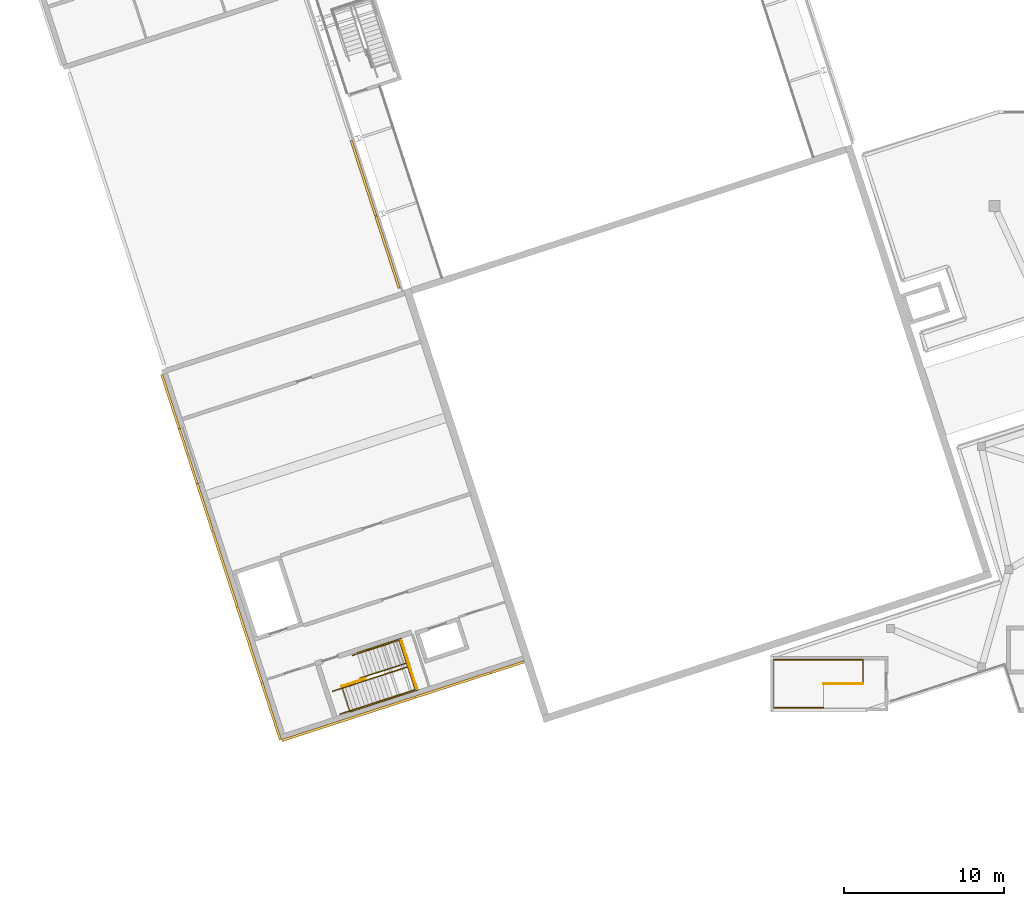
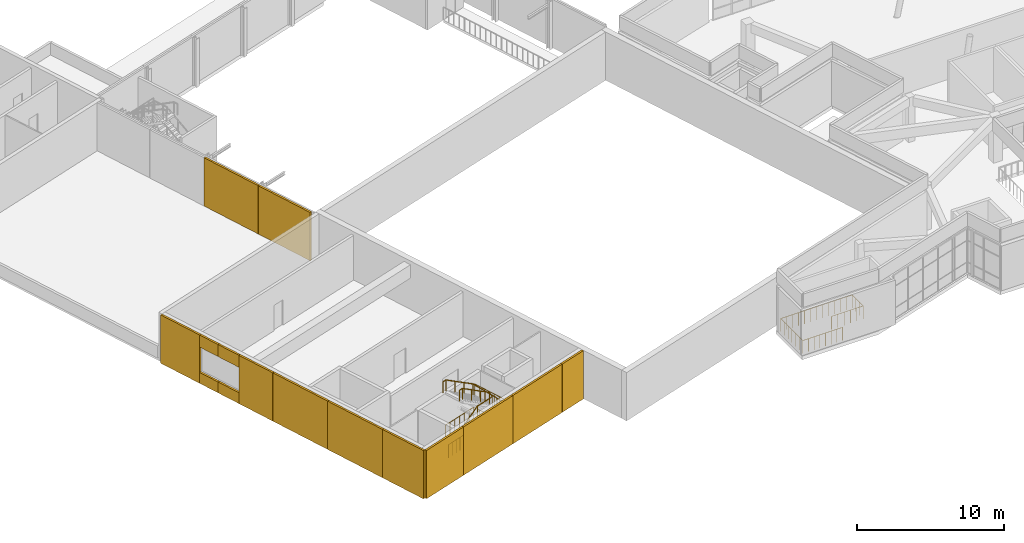
# One storey, part 67 of 72: 15 coverings, 7 railings.
"""IFC4 building model written with IfcOpenShell, lengths in metres."""

from ifc_helpers import new_model, si_unit, direction, frame, origin, origin_2d, place, context, subcontext, project, spatial, polyline, circle, outline, extrude, material, layer, layer_set, type_object, element, save


model = new_model("IFC4")

# Units and contexts
model_context = context("Model", 3, precision=1e-05, world=origin(), true_north=direction((0.0, 1.0)))
body_context = subcontext(model_context, "Body", "Model", "MODEL_VIEW")
ifc_project = project(units=[si_unit("LENGTHUNIT", "METRE"), si_unit("AREAUNIT", "SQUARE_METRE"), si_unit("VOLUMEUNIT", "CUBIC_METRE"), si_unit("PLANEANGLEUNIT", "RADIAN"), si_unit("MASSUNIT", "GRAM", prefix="KILO")], contexts=[model_context])

# Site, building, storey
site_placement = place(None, origin())
site = spatial("IfcSite", under=ifc_project, at=site_placement, CompositionType="ELEMENT")
building_placement = place(site_placement, origin())
building = spatial("IfcBuilding", under=site, at=building_placement, Name="Tuart Plaza Theatre", CompositionType="ELEMENT")
storey_placement = place(building_placement, frame((0.0, 0.0, 13.5)))
storey = spatial("IfcBuildingStorey", under=building, at=storey_placement, Name="L03", CompositionType="ELEMENT", Elevation=13.5)

# Coverings
ifc_material_1 = material(Name="Zinc")
ifc_layer = layer(ifc_material_1, 0.14990234375)
ifc_layer_set = layer_set([ifc_layer], Name="COVERING-ZINC-RAINSCREEN150")
covering_type = type_object("IfcCoveringType", Name="COVERING-ZINC-RAINSCREEN150", PredefinedType="CLADDING", material=ifc_layer_set)
covering_1_placement = place(storey_placement, origin())
element("IfcCovering", 1, at=covering_1_placement, inside=storey, type_object=covering_type, Name="CL8", PredefinedType="CLADDING", context=body_context, shape_type="SweptSolid", body=[
    extrude(outline(polyline([(40.734130859375, 68.850830078125), (39.269287109375, 73.35888671875), (39.412109375, 73.4052734375), (40.876708984375, 68.897216796875), (40.734130859375, 68.850830078125)])), origin(), (0.0, 0.0, 1.0), 4.0),
])
covering_2_placement = place(storey_placement, origin())
element("IfcCovering", 2, at=covering_2_placement, inside=storey, type_object=covering_type, Name="CL9", PredefinedType="CLADDING", context=body_context, shape_type="SweptSolid", body=[
    extrude(outline(polyline([(39.26318359375, 73.3779296875), (37.73974609375, 78.066650390625), (37.88232421875, 78.113037109375), (39.406005859375, 73.42431640625), (39.26318359375, 73.3779296875)])), origin(), (0.0, 0.0, 1.0), 4.0),
])
covering_3_placement = place(storey_placement, origin())
element("IfcCovering", 3, at=covering_3_placement, inside=storey, type_object=covering_type, Name="CL166", PredefinedType="CLADDING", context=body_context, shape_type="SweptSolid", body=[
    extrude(outline(polyline([(33.45068359375, 40.6708984375), (37.0078125, 41.82666015625), (37.053955078125, 41.68408203125), (33.4970703125, 40.5283203125), (33.45068359375, 40.6708984375)])), origin(), (0.0, 0.0, 1.0), 4.0),
])
covering_4_placement = place(storey_placement, origin())
element("IfcCovering", 4, at=covering_4_placement, inside=storey, type_object=covering_type, Name="CL167", PredefinedType="CLADDING", context=body_context, shape_type="SweptSolid", body=[
    extrude(outline(polyline([(37.026611328125, 41.832763671875), (41.762939453125, 43.371826171875), (41.809326171875, 43.22900390625), (37.072998046875, 41.690185546875), (37.026611328125, 41.832763671875)])), origin(), (0.0, 0.0, 1.0), 4.0),
])
covering_5_placement = place(storey_placement, origin())
element("IfcCovering", 5, at=covering_5_placement, inside=storey, type_object=covering_type, Name="CL168", PredefinedType="CLADDING", context=body_context, shape_type="SweptSolid", body=[
    extrude(outline(polyline([(41.781982421875, 43.3779296875), (46.518310546875, 44.916748046875), (46.564697265625, 44.774169921875), (41.828369140625, 43.2353515625), (41.781982421875, 43.3779296875)])), origin(), (0.0, 0.0, 1.0), 4.0),
])
covering_6_placement = place(storey_placement, origin())
element("IfcCovering", 6, at=covering_6_placement, inside=storey, type_object=covering_type, Name="CL169", PredefinedType="CLADDING", context=body_context, shape_type="SweptSolid", body=[
    extrude(outline(polyline([(46.537353515625, 44.923095703125), (48.59619140625, 45.592041015625), (48.642578125, 45.449462890625), (46.58349609375, 44.780517578125), (46.537353515625, 44.923095703125)])), origin(), (0.0, 0.0, 1.0), 4.0),
])
covering_7_placement = place(storey_placement, origin())
element("IfcCovering", 7, at=covering_7_placement, inside=storey, type_object=covering_type, Name="CL170", PredefinedType="CLADDING", context=body_context, shape_type="SweptSolid", body=[
    extrude(outline(polyline([(33.30810546875, 40.62451171875), (32.15234375, 44.181396484375), (32.294921875, 44.227783203125), (33.45068359375, 40.6708984375), (33.30810546875, 40.62451171875)])), origin(), (0.0, 0.0, 1.0), 4.0),
])
covering_8_placement = place(storey_placement, origin())
element("IfcCovering", 8, at=covering_8_placement, inside=storey, type_object=covering_type, Name="CL171", PredefinedType="CLADDING", context=body_context, shape_type="SweptSolid", body=[
    extrude(outline(polyline([(32.146240234375, 44.20068359375), (30.607421875, 48.936767578125), (30.75, 48.983154296875), (32.288818359375, 44.246826171875), (32.146240234375, 44.20068359375)])), origin(), (0.0, 0.0, 1.0), 4.0),
])
covering_9_placement = place(storey_placement, origin())
element("IfcCovering", 9, at=covering_9_placement, inside=storey, type_object=covering_type, Name="CL172", PredefinedType="CLADDING", context=body_context, shape_type="SweptSolid", body=[
    extrude(outline(polyline([(30.60107421875, 48.955810546875), (29.062255859375, 53.692138671875), (29.204833984375, 53.738525390625), (30.74365234375, 49.002197265625), (30.60107421875, 48.955810546875)])), origin(), (0.0, 0.0, 1.0), 4.0),
])
covering_10_placement = place(storey_placement, origin())
element("IfcCovering", 10, at=covering_10_placement, inside=storey, type_object=covering_type, Name="CL173", PredefinedType="CLADDING", context=body_context, shape_type="SweptSolid", body=[
    extrude(outline(polyline([(29.055908203125, 53.711181640625), (28.10107421875, 56.64990234375), (28.243896484375, 56.6962890625), (29.198486328125, 53.757568359375), (29.055908203125, 53.711181640625)])), origin(), (0.0, 0.0, 1.0), 4.0),
])
covering_11_placement = place(storey_placement, origin())
element("IfcCovering", 11, at=covering_11_placement, inside=storey, type_object=covering_type, Name="CL174", PredefinedType="CLADDING", context=body_context, shape_type="SweptSolid", body=[
    extrude(outline(polyline([(28.10107421875, 56.64990234375), (27.51708984375, 58.447509765625), (27.65966796875, 58.49365234375), (28.243896484375, 56.6962890625), (28.10107421875, 56.64990234375)])), origin(), (0.0, 0.0, 1.0), 0.89990234375),
])
covering_12_placement = place(storey_placement, frame((0.0, 0.0, 3.0)))
element("IfcCovering", 12, at=covering_12_placement, inside=storey, type_object=covering_type, Name="CL175", PredefinedType="CLADDING", context=body_context, shape_type="SweptSolid", body=[
    extrude(outline(polyline([(28.10107421875, 56.64990234375), (27.51708984375, 58.447509765625), (27.65966796875, 58.49365234375), (28.243896484375, 56.6962890625), (28.10107421875, 56.64990234375)])), origin(), (0.0, 0.0, 1.0), 1.0),
])
covering_13_placement = place(storey_placement, origin())
element("IfcCovering", 13, at=covering_13_placement, inside=storey, type_object=covering_type, Name="CL176", PredefinedType="CLADDING", context=body_context, shape_type="SweptSolid", body=[
    extrude(outline(polyline([(27.510986328125, 58.46630859375), (26.98876953125, 60.07373046875), (27.13134765625, 60.1201171875), (27.653564453125, 58.5126953125), (27.510986328125, 58.46630859375)])), origin(), (0.0, 0.0, 1.0), 0.89990234375),
])
covering_14_placement = place(storey_placement, frame((0.0, 0.0, 3.0)))
element("IfcCovering", 14, at=covering_14_placement, inside=storey, type_object=covering_type, Name="CL177", PredefinedType="CLADDING", context=body_context, shape_type="SweptSolid", body=[
    extrude(outline(polyline([(27.510986328125, 58.46630859375), (26.98876953125, 60.07373046875), (27.13134765625, 60.1201171875), (27.653564453125, 58.5126953125), (27.510986328125, 58.46630859375)])), origin(), (0.0, 0.0, 1.0), 1.0),
])
covering_15_placement = place(storey_placement, origin())
element("IfcCovering", 15, at=covering_15_placement, inside=storey, type_object=covering_type, Name="CL178", PredefinedType="CLADDING", context=body_context, shape_type="SweptSolid", body=[
    extrude(outline(polyline([(26.98876953125, 60.07373046875), (25.8916015625, 63.449951171875), (26.0341796875, 63.496337890625), (27.13134765625, 60.1201171875), (26.98876953125, 60.07373046875)])), origin(), (0.0, 0.0, 1.0), 4.0),
])

# Railings
ifc_material_2 = material(Name="Steel Grade C350L0", Category="steel")
railing_type_1 = type_object("IfcRailingType", Name="RAILING Guard 1100", PredefinedType="GUARDRAIL", material=ifc_material_2)
railing_1_placement = place(storey_placement, frame((37.217041015625, 43.99755859375, 0.0)))
element("IfcRailing", 16, at=railing_1_placement, inside=storey, type_object=railing_type_1, Name="GR13", PredefinedType="GUARDRAIL", context=body_context, shape_type="SweptSolid", body=[
    extrude(circle(Radius=0.02490234375, at=origin_2d()), frame((0.0, 0.0, 1.0751953125), z_axis=(0.951027146511, 0.309107370664, 0.0), x_axis=(-0.309107370664, 0.951027146511, 0.0)), (0.0, 0.0, 1.0), 1.55517578125),
    extrude(circle(Radius=0.02001953125, at=origin_2d()), origin(), (0.0, 0.0, 1.0), 1.050048828125),
    extrude(circle(Radius=0.02001953125, at=origin_2d()), frame((0.36962890625, 0.1201171875, 0.0)), (0.0, 0.0, 1.0), 1.050048828125),
    extrude(circle(Radius=0.02001953125, at=origin_2d()), frame((0.739501953125, 0.240234375, 0.0)), (0.0, 0.0, 1.0), 1.050048828125),
    extrude(circle(Radius=0.02001953125, at=origin_2d()), frame((1.109375, 0.360595703125, 0.0)), (0.0, 0.0, 1.0), 1.050048828125),
    extrude(circle(Radius=0.02001953125, at=origin_2d()), frame((1.47900390625, 0.480712890625, 0.0)), (0.0, 0.0, 1.0), 1.050048828125),
])
railing_2_placement = place(storey_placement, frame((38.181640625, 46.077392578125, 0.0)))
element("IfcRailing", 17, at=railing_2_placement, inside=storey, type_object=railing_type_1, Name="GR14", PredefinedType="GUARDRAIL", context=body_context, shape_type="SweptSolid", body=[
    extrude(circle(Radius=0.02490234375, at=origin_2d()), frame((0.0, 0.0, 1.0751953125), z_axis=(-0.316227766017, 0.948683298051, 0.0), x_axis=(-0.948683298051, -0.316227766017, 0.0)), (0.0, 0.0, 1.0), 0.02001953125),
    extrude(circle(Radius=0.02490234375, at=origin_2d()), frame((-0.00634765625, 0.01904296875, 1.0751953125), z_axis=(0.951047059821, 0.309046096893, 0.0), x_axis=(-0.309046096893, 0.951047059821, 0.0)), (0.0, 0.0, 1.0), 2.89990234375),
    extrude(circle(Radius=0.02490234375, at=origin_2d()), frame((2.751708984375, 0.915283203125, 1.0751953125), z_axis=(0.309045481752, -0.951047259714, 0.0), x_axis=(0.951047259714, 0.309045481752, 0.0)), (0.0, 0.0, 1.0), 3.400146484375),
    extrude(circle(Radius=0.02490234375, at=origin_2d()), frame((3.802490234375, -2.318359375, 1.0751953125), z_axis=(-0.951059006692, -0.309009329618, 0.0), x_axis=(0.309009329618, -0.951059006692, 0.0)), (0.0, 0.0, 1.0), 4.4599609375),
    extrude(circle(Radius=0.02490234375, at=origin_2d()), frame((-0.439208984375, -3.696533203125, 1.0751953125), z_axis=(-0.309066587596, 0.951040401051, 0.0), x_axis=(-0.951040401051, -0.309066587596, 0.0)), (0.0, 0.0, 1.0), 1.699951171875),
    extrude(circle(Radius=0.02001953125, at=origin_2d()), origin(), (0.0, 0.0, 1.0), 1.050048828125),
    extrude(circle(Radius=0.02001953125, at=origin_2d()), frame((-0.00634765625, 0.01904296875, 0.0)), (0.0, 0.0, 1.0), 1.050048828125),
    extrude(circle(Radius=0.02001953125, at=origin_2d()), frame((0.453369140625, 0.16845703125, 0.0)), (0.0, 0.0, 1.0), 1.050048828125),
    extrude(circle(Radius=0.02001953125, at=origin_2d()), frame((0.9130859375, 0.31787109375, 0.0)), (0.0, 0.0, 1.0), 1.050048828125),
    extrude(circle(Radius=0.02001953125, at=origin_2d()), frame((1.37255859375, 0.46728515625, 0.0)), (0.0, 0.0, 1.0), 1.050048828125),
    extrude(circle(Radius=0.02001953125, at=origin_2d()), frame((1.832275390625, 0.616455078125, 0.0)), (0.0, 0.0, 1.0), 1.050048828125),
    extrude(circle(Radius=0.02001953125, at=origin_2d()), frame((2.2919921875, 0.765869140625, 0.0)), (0.0, 0.0, 1.0), 1.050048828125),
    extrude(circle(Radius=0.02001953125, at=origin_2d()), frame((2.751708984375, 0.915283203125, 0.0)), (0.0, 0.0, 1.0), 1.050048828125),
    extrude(circle(Radius=0.02001953125, at=origin_2d()), frame((2.90185546875, 0.453369140625, 0.0)), (0.0, 0.0, 1.0), 1.050048828125),
    extrude(circle(Radius=0.02001953125, at=origin_2d()), frame((3.052001953125, -0.008544921875, 0.0)), (0.0, 0.0, 1.0), 1.050048828125),
    extrude(circle(Radius=0.02001953125, at=origin_2d()), frame((3.2021484375, -0.470458984375, 0.0)), (0.0, 0.0, 1.0), 1.050048828125),
    extrude(circle(Radius=0.02001953125, at=origin_2d()), frame((3.35205078125, -0.9326171875, 0.0)), (0.0, 0.0, 1.0), 1.050048828125),
    extrude(circle(Radius=0.02001953125, at=origin_2d()), frame((3.502197265625, -1.39453125, 0.0)), (0.0, 0.0, 1.0), 1.050048828125),
    extrude(circle(Radius=0.02001953125, at=origin_2d()), frame((3.65234375, -1.8564453125, 0.0)), (0.0, 0.0, 1.0), 1.050048828125),
    extrude(circle(Radius=0.02001953125, at=origin_2d()), frame((3.802490234375, -2.318359375, 0.0)), (0.0, 0.0, 1.0), 1.050048828125),
    extrude(circle(Radius=0.02001953125, at=origin_2d()), frame((3.331298828125, -2.471435546875, 0.0)), (0.0, 0.0, 1.0), 1.050048828125),
    extrude(circle(Radius=0.02001953125, at=origin_2d()), frame((2.85986328125, -2.62451171875, 0.0)), (0.0, 0.0, 1.0), 1.050048828125),
    extrude(circle(Radius=0.02001953125, at=origin_2d()), frame((2.388671875, -2.77783203125, 0.0)), (0.0, 0.0, 1.0), 1.050048828125),
    extrude(circle(Radius=0.02001953125, at=origin_2d()), frame((1.917236328125, -2.930908203125, 0.0)), (0.0, 0.0, 1.0), 1.050048828125),
    extrude(circle(Radius=0.02001953125, at=origin_2d()), frame((1.446044921875, -3.083984375, 0.0)), (0.0, 0.0, 1.0), 1.050048828125),
    extrude(circle(Radius=0.02001953125, at=origin_2d()), frame((0.974609375, -3.237060546875, 0.0)), (0.0, 0.0, 1.0), 1.050048828125),
    extrude(circle(Radius=0.02001953125, at=origin_2d()), frame((0.50341796875, -3.390380859375, 0.0)), (0.0, 0.0, 1.0), 1.050048828125),
    extrude(circle(Radius=0.02001953125, at=origin_2d()), frame((0.031982421875, -3.54345703125, 0.0)), (0.0, 0.0, 1.0), 1.050048828125),
    extrude(circle(Radius=0.02001953125, at=origin_2d()), frame((-0.439208984375, -3.696533203125, 0.0)), (0.0, 0.0, 1.0), 1.050048828125),
    extrude(circle(Radius=0.02001953125, at=origin_2d()), frame((-0.570556640625, -3.29248046875, 0.0)), (0.0, 0.0, 1.0), 1.050048828125),
    extrude(circle(Radius=0.02001953125, at=origin_2d()), frame((-0.701904296875, -2.88818359375, 0.0)), (0.0, 0.0, 1.0), 1.050048828125),
    extrude(circle(Radius=0.02001953125, at=origin_2d()), frame((-0.833251953125, -2.48388671875, 0.0)), (0.0, 0.0, 1.0), 1.050048828125),
    extrude(circle(Radius=0.02001953125, at=origin_2d()), frame((-0.964599609375, -2.079833984375, 0.0)), (0.0, 0.0, 1.0), 1.050048828125),
])
railing_3_placement = place(storey_placement, frame((41.8994140625, 43.857666015625, 2.0)))
element("IfcRailing", 18, at=railing_3_placement, inside=storey, type_object=railing_type_1, Name="GR18", PredefinedType="GUARDRAIL", context=body_context, shape_type="SweptSolid", body=[
    extrude(circle(Radius=0.02490234375, at=origin_2d()), frame((0.0, 0.0, 1.0751953125), z_axis=(-0.309033663672, 0.951051099951, 0.0), x_axis=(-0.951051099951, -0.309033663672, 0.0)), (0.0, 0.0, 1.0), 3.16015625),
    extrude(circle(Radius=0.02001953125, at=origin_2d()), origin(), (0.0, 0.0, 1.0), 1.050048828125),
    extrude(circle(Radius=0.02001953125, at=origin_2d()), frame((-0.139404296875, 0.429443359375, 0.0)), (0.0, 0.0, 1.0), 1.050048828125),
    extrude(circle(Radius=0.02001953125, at=origin_2d()), frame((-0.279052734375, 0.858642578125, 0.0)), (0.0, 0.0, 1.0), 1.050048828125),
    extrude(circle(Radius=0.02001953125, at=origin_2d()), frame((-0.41845703125, 1.2880859375, 0.0)), (0.0, 0.0, 1.0), 1.050048828125),
    extrude(circle(Radius=0.02001953125, at=origin_2d()), frame((-0.55810546875, 1.71728515625, 0.0)), (0.0, 0.0, 1.0), 1.050048828125),
    extrude(circle(Radius=0.02001953125, at=origin_2d()), frame((-0.697509765625, 2.146728515625, 0.0)), (0.0, 0.0, 1.0), 1.050048828125),
    extrude(circle(Radius=0.02001953125, at=origin_2d()), frame((-0.837158203125, 2.575927734375, 0.0)), (0.0, 0.0, 1.0), 1.050048828125),
    extrude(circle(Radius=0.02001953125, at=origin_2d()), frame((-0.9765625, 3.00537109375, 0.0)), (0.0, 0.0, 1.0), 1.050048828125),
])
railing_4_placement = place(storey_placement, frame((69.7900390625, 44.14990234375, 0.0)))
element("IfcRailing", 19, at=railing_4_placement, inside=storey, type_object=railing_type_1, Name="GR129", PredefinedType="GUARDRAIL", context=body_context, shape_type="SweptSolid", body=[
    extrude(circle(Radius=0.02490234375, at=origin_2d()), frame((0.0, 0.0, 1.0751953125), z_axis=(-1.0, 0.0, 0.0), x_axis=(0.0, -1.0, 0.0)), (0.0, 0.0, 1.0), 2.47509765625),
    extrude(circle(Radius=0.02001953125, at=origin_2d()), origin(), (0.0, 0.0, 1.0), 1.050048828125),
    extrude(circle(Radius=0.02001953125, at=origin_2d()), frame((-0.4951171875, 0.0, 0.0)), (0.0, 0.0, 1.0), 1.050048828125),
    extrude(circle(Radius=0.02001953125, at=origin_2d()), frame((-0.989990234375, 0.0, 0.0)), (0.0, 0.0, 1.0), 1.050048828125),
    extrude(circle(Radius=0.02001953125, at=origin_2d()), frame((-1.485107421875, 0.0, 0.0)), (0.0, 0.0, 1.0), 1.050048828125),
    extrude(circle(Radius=0.02001953125, at=origin_2d()), frame((-1.97998046875, 0.0, 0.0)), (0.0, 0.0, 1.0), 1.050048828125),
    extrude(circle(Radius=0.02001953125, at=origin_2d()), frame((-2.47509765625, 0.0, 0.0)), (0.0, 0.0, 1.0), 1.050048828125),
])
railing_5_placement = place(storey_placement, frame((67.31005859375, 42.669921875, 0.0)))
element("IfcRailing", 20, at=railing_5_placement, inside=storey, type_object=railing_type_1, Name="GR130", PredefinedType="GUARDRAIL", context=body_context, shape_type="SweptSolid", body=[
    extrude(circle(Radius=0.02490234375, at=origin_2d()), frame((0.0, 0.0, 1.0751953125), z_axis=(0.0, -1.0, 0.0), x_axis=(1.0, 0.0, 0.0)), (0.0, 0.0, 1.0), 0.02001953125),
    extrude(circle(Radius=0.02490234375, at=origin_2d()), frame((0.0, -0.02001953125, 1.0751953125), z_axis=(-1.0, 0.0, 0.0), x_axis=(0.0, -1.0, 0.0)), (0.0, 0.0, 1.0), 3.110107421875),
    extrude(circle(Radius=0.02490234375, at=origin_2d()), frame((-3.110107421875, -0.02001953125, 1.0751953125), z_axis=(0.0, 1.0, 0.0), x_axis=(-1.0, 0.0, 0.0)), (0.0, 0.0, 1.0), 3.0),
    extrude(circle(Radius=0.02490234375, at=origin_2d()), frame((-3.110107421875, 2.97998046875, 1.0751953125), z_axis=(1.0, 0.0, 0.0), x_axis=(0.0, 1.0, 0.0)), (0.0, 0.0, 1.0), 5.590087890625),
    extrude(circle(Radius=0.02490234375, at=origin_2d()), frame((2.47998046875, 2.97998046875, 1.0751953125), z_axis=(0.0, -1.0, 0.0), x_axis=(1.0, 0.0, 0.0)), (0.0, 0.0, 1.0), 1.5),
    extrude(circle(Radius=0.02001953125, at=origin_2d()), origin(), (0.0, 0.0, 1.0), 1.050048828125),
    extrude(circle(Radius=0.02001953125, at=origin_2d()), frame((0.0, -0.02001953125, 0.0)), (0.0, 0.0, 1.0), 1.050048828125),
    extrude(circle(Radius=0.02001953125, at=origin_2d()), frame((-0.4443359375, -0.02001953125, 0.0)), (0.0, 0.0, 1.0), 1.050048828125),
    extrude(circle(Radius=0.02001953125, at=origin_2d()), frame((-0.888671875, -0.02001953125, 0.0)), (0.0, 0.0, 1.0), 1.050048828125),
    extrude(circle(Radius=0.02001953125, at=origin_2d()), frame((-1.3330078125, -0.02001953125, 0.0)), (0.0, 0.0, 1.0), 1.050048828125),
    extrude(circle(Radius=0.02001953125, at=origin_2d()), frame((-1.777099609375, -0.02001953125, 0.0)), (0.0, 0.0, 1.0), 1.050048828125),
    extrude(circle(Radius=0.02001953125, at=origin_2d()), frame((-2.221435546875, -0.02001953125, 0.0)), (0.0, 0.0, 1.0), 1.050048828125),
    extrude(circle(Radius=0.02001953125, at=origin_2d()), frame((-2.665771484375, -0.02001953125, 0.0)), (0.0, 0.0, 1.0), 1.050048828125),
    extrude(circle(Radius=0.02001953125, at=origin_2d()), frame((-3.110107421875, -0.02001953125, 0.0)), (0.0, 0.0, 1.0), 1.050048828125),
    extrude(circle(Radius=0.02001953125, at=origin_2d()), frame((-3.110107421875, 0.47998046875, 0.0)), (0.0, 0.0, 1.0), 1.050048828125),
    extrude(circle(Radius=0.02001953125, at=origin_2d()), frame((-3.110107421875, 0.97998046875, 0.0)), (0.0, 0.0, 1.0), 1.050048828125),
    extrude(circle(Radius=0.02001953125, at=origin_2d()), frame((-3.110107421875, 1.47998046875, 0.0)), (0.0, 0.0, 1.0), 1.050048828125),
    extrude(circle(Radius=0.02001953125, at=origin_2d()), frame((-3.110107421875, 1.97998046875, 0.0)), (0.0, 0.0, 1.0), 1.050048828125),
    extrude(circle(Radius=0.02001953125, at=origin_2d()), frame((-3.110107421875, 2.47998046875, 0.0)), (0.0, 0.0, 1.0), 1.050048828125),
    extrude(circle(Radius=0.02001953125, at=origin_2d()), frame((-3.110107421875, 2.97998046875, 0.0)), (0.0, 0.0, 1.0), 1.050048828125),
    extrude(circle(Radius=0.02001953125, at=origin_2d()), frame((-2.644287109375, 2.97998046875, 0.0)), (0.0, 0.0, 1.0), 1.050048828125),
    extrude(circle(Radius=0.02001953125, at=origin_2d()), frame((-2.178466796875, 2.97998046875, 0.0)), (0.0, 0.0, 1.0), 1.050048828125),
    extrude(circle(Radius=0.02001953125, at=origin_2d()), frame((-1.712646484375, 2.97998046875, 0.0)), (0.0, 0.0, 1.0), 1.050048828125),
    extrude(circle(Radius=0.02001953125, at=origin_2d()), frame((-1.246826171875, 2.97998046875, 0.0)), (0.0, 0.0, 1.0), 1.050048828125),
    extrude(circle(Radius=0.02001953125, at=origin_2d()), frame((-0.781005859375, 2.97998046875, 0.0)), (0.0, 0.0, 1.0), 1.050048828125),
    extrude(circle(Radius=0.02001953125, at=origin_2d()), frame((-0.31494140625, 2.97998046875, 0.0)), (0.0, 0.0, 1.0), 1.050048828125),
    extrude(circle(Radius=0.02001953125, at=origin_2d()), frame((0.15087890625, 2.97998046875, 0.0)), (0.0, 0.0, 1.0), 1.050048828125),
    extrude(circle(Radius=0.02001953125, at=origin_2d()), frame((0.61669921875, 2.97998046875, 0.0)), (0.0, 0.0, 1.0), 1.050048828125),
    extrude(circle(Radius=0.02001953125, at=origin_2d()), frame((1.08251953125, 2.97998046875, 0.0)), (0.0, 0.0, 1.0), 1.050048828125),
    extrude(circle(Radius=0.02001953125, at=origin_2d()), frame((1.54833984375, 2.97998046875, 0.0)), (0.0, 0.0, 1.0), 1.050048828125),
    extrude(circle(Radius=0.02001953125, at=origin_2d()), frame((2.01416015625, 2.97998046875, 0.0)), (0.0, 0.0, 1.0), 1.050048828125),
    extrude(circle(Radius=0.02001953125, at=origin_2d()), frame((2.47998046875, 2.97998046875, 0.0)), (0.0, 0.0, 1.0), 1.050048828125),
    extrude(circle(Radius=0.02001953125, at=origin_2d()), frame((2.47998046875, 2.47998046875, 0.0)), (0.0, 0.0, 1.0), 1.050048828125),
    extrude(circle(Radius=0.02001953125, at=origin_2d()), frame((2.47998046875, 1.97998046875, 0.0)), (0.0, 0.0, 1.0), 1.050048828125),
    extrude(circle(Radius=0.02001953125, at=origin_2d()), frame((2.47998046875, 1.47998046875, 0.0)), (0.0, 0.0, 1.0), 1.050048828125),
])
ifc_material_3 = material(Name="Steel Grade C350L0", Category="steel")
railing_type_2 = type_object("IfcRailingType", Name="RAILING Handrail 900", PredefinedType="HANDRAIL", material=ifc_material_3)
railing_6_placement = place(storey_placement, frame((36.6279296875, 43.6748046875, 0.0)))
element("IfcRailing", 21, at=railing_6_placement, inside=storey, type_object=railing_type_2, Name="HR11", PredefinedType="HANDRAIL", context=body_context, shape_type="SweptSolid", body=[
    extrude(circle(Radius=0.0224609375, at=origin_2d()), frame((0.0, 0.0, 0.87744140625), z_axis=(0.91641792704, 0.297502654672, 0.267713192544), x_axis=(-0.308773297186, 0.951135663796, 0.0)), (0.0, 0.0, 1.0), 0.622802734375),
    extrude(circle(Radius=0.0224609375, at=origin_2d()), frame((0.57080078125, 0.185302734375, 1.044189453125), z_axis=(0.80067958274, 0.260161573424, 0.539655595261), x_axis=(-0.309022373402, 0.951054768527, 0.0)), (0.0, 0.0, 1.0), 3.39697265625),
    extrude(circle(Radius=0.0224609375, at=origin_2d()), frame((3.290771484375, 1.069091796875, 2.87744140625), z_axis=(0.951032872603, 0.309089752708, 0.0), x_axis=(-0.309089752708, 0.951032872603, 0.0)), (0.0, 0.0, 1.0), 1.5),
    extrude(circle(Radius=0.0224609375, at=origin_2d()), frame((4.71728515625, 1.53271484375, 2.87744140625), z_axis=(-0.226783790612, 0.699010797647, 0.678198361166), x_axis=(-0.951191832008, -0.308600224758, 0.0)), (0.0, 0.0, 1.0), 0.340087890625),
    extrude(circle(Radius=0.0224609375, at=origin_2d()), frame((4.64013671875, 1.7705078125, 3.108154296875), z_axis=(-0.800667490059, -0.260187147532, 0.53966120726), x_axis=(0.309054071151, -0.951044468521, 0.0)), (0.0, 0.0, 1.0), 3.278564453125),
    extrude(circle(Radius=0.0224609375, at=origin_2d()), frame((2.01513671875, 0.91748046875, 4.87744140625), z_axis=(-0.951255083436, -0.308405198137, 0.0), x_axis=(0.308405198137, -0.951255083436, 0.0)), (0.0, 0.0, 1.0), 0.300048828125),
    extrude(circle(Radius=0.01513671875, at=origin_2d()), origin(), (0.0, 0.0, 1.0), 0.85498046875),
    extrude(circle(Radius=0.01513671875, at=origin_2d()), frame((0.57080078125, 0.185302734375, 0.166748046875)), (0.0, 0.0, 1.0), 0.85498046875),
    extrude(circle(Radius=0.01513671875, at=origin_2d()), frame((1.4775390625, 0.47998046875, 0.77783203125)), (0.0, 0.0, 1.0), 0.85498046875),
    extrude(circle(Radius=0.01513671875, at=origin_2d()), frame((2.384033203125, 0.7744140625, 1.388916015625)), (0.0, 0.0, 1.0), 0.85498046875),
    extrude(circle(Radius=0.01513671875, at=origin_2d()), frame((3.290771484375, 1.069091796875, 2.0)), (0.0, 0.0, 1.0), 0.85498046875),
    extrude(circle(Radius=0.01513671875, at=origin_2d()), frame((4.71728515625, 1.53271484375, 2.0)), (0.0, 0.0, 1.0), 0.85498046875),
    extrude(circle(Radius=0.01513671875, at=origin_2d()), frame((4.64013671875, 1.7705078125, 2.230712890625)), (0.0, 0.0, 1.0), 0.85498046875),
    extrude(circle(Radius=0.01513671875, at=origin_2d()), frame((3.76513671875, 1.486083984375, 2.820556640625)), (0.0, 0.0, 1.0), 0.85498046875),
    extrude(circle(Radius=0.01513671875, at=origin_2d()), frame((2.89013671875, 1.201904296875, 3.41015625)), (0.0, 0.0, 1.0), 0.85498046875),
    extrude(circle(Radius=0.01513671875, at=origin_2d()), frame((2.01513671875, 0.91748046875, 4.0)), (0.0, 0.0, 1.0), 0.85498046875),
    extrude(circle(Radius=0.01513671875, at=origin_2d()), frame((1.729736328125, 0.824951171875, 4.0)), (0.0, 0.0, 1.0), 0.85498046875),
])
railing_7_placement = place(storey_placement, frame((37.091552734375, 42.248291015625, 0.0)))
element("IfcRailing", 22, at=railing_7_placement, inside=storey, type_object=railing_type_2, Name="HR12", PredefinedType="HANDRAIL", context=body_context, shape_type="SweptSolid", body=[
    extrude(circle(Radius=0.0224609375, at=origin_2d()), frame((0.0, 0.0, 0.87744140625), z_axis=(0.916355108697, 0.297609553916, 0.267809387779), x_axis=(-0.308892816854, 0.951096855055, 0.0)), (0.0, 0.0, 1.0), 0.62255859375),
    extrude(circle(Radius=0.0224609375, at=origin_2d()), frame((0.570556640625, 0.185302734375, 1.044189453125), z_axis=(0.80067958274, 0.260161573424, 0.539655595261), x_axis=(-0.309022373402, 0.951054768527, 0.0)), (0.0, 0.0, 1.0), 3.39697265625),
    extrude(circle(Radius=0.0224609375, at=origin_2d()), frame((3.29052734375, 1.069091796875, 2.87744140625), z_axis=(0.951048418938, 0.309041914367, 0.0), x_axis=(-0.309041914367, 0.951048418938, 0.0)), (0.0, 0.0, 1.0), 1.500244140625),
    extrude(circle(Radius=0.0224609375, at=origin_2d()), frame((4.71728515625, 1.53271484375, 2.87744140625), z_axis=(-0.308276276911, 0.94865767275, 0.070812124862), x_axis=(-0.951045109239, -0.309052099479, 0.0)), (0.0, 0.0, 1.0), 3.258056640625),
    extrude(circle(Radius=0.0224609375, at=origin_2d()), frame((3.712890625, 4.62353515625, 3.108154296875), z_axis=(-0.800683001475, -0.26011771988, 0.539671662174), x_axis=(0.308974063591, -0.951070464281, 0.0)), (0.0, 0.0, 1.0), 3.278564453125),
    extrude(circle(Radius=0.0224609375, at=origin_2d()), frame((1.087890625, 3.770751953125, 4.87744140625), z_axis=(-0.950938293792, -0.309380609282, 0.0), x_axis=(0.309380609282, -0.950938293792, 0.0)), (0.0, 0.0, 1.0), 0.2998046875),
    extrude(circle(Radius=0.01513671875, at=origin_2d()), origin(), (0.0, 0.0, 1.0), 0.85498046875),
    extrude(circle(Radius=0.01513671875, at=origin_2d()), frame((0.570556640625, 0.185302734375, 0.166748046875)), (0.0, 0.0, 1.0), 0.85498046875),
    extrude(circle(Radius=0.01513671875, at=origin_2d()), frame((1.477294921875, 0.47998046875, 0.77783203125)), (0.0, 0.0, 1.0), 0.85498046875),
    extrude(circle(Radius=0.01513671875, at=origin_2d()), frame((2.3837890625, 0.7744140625, 1.388916015625)), (0.0, 0.0, 1.0), 0.85498046875),
    extrude(circle(Radius=0.01513671875, at=origin_2d()), frame((3.29052734375, 1.069091796875, 2.0)), (0.0, 0.0, 1.0), 0.85498046875),
    extrude(circle(Radius=0.01513671875, at=origin_2d()), frame((4.00390625, 1.30078125, 2.0)), (0.0, 0.0, 1.0), 0.85498046875),
    extrude(circle(Radius=0.01513671875, at=origin_2d()), frame((4.71728515625, 1.53271484375, 2.0)), (0.0, 0.0, 1.0), 0.85498046875),
    extrude(circle(Radius=0.01513671875, at=origin_2d()), frame((4.382568359375, 2.56298828125, 2.076904296875)), (0.0, 0.0, 1.0), 0.85498046875),
    extrude(circle(Radius=0.01513671875, at=origin_2d()), frame((4.047607421875, 3.59326171875, 2.15380859375)), (0.0, 0.0, 1.0), 0.85498046875),
    extrude(circle(Radius=0.01513671875, at=origin_2d()), frame((3.712890625, 4.62353515625, 2.230712890625)), (0.0, 0.0, 1.0), 0.85498046875),
    extrude(circle(Radius=0.01513671875, at=origin_2d()), frame((2.837890625, 4.33935546875, 2.820556640625)), (0.0, 0.0, 1.0), 0.85498046875),
    extrude(circle(Radius=0.01513671875, at=origin_2d()), frame((1.962890625, 4.054931640625, 3.41015625)), (0.0, 0.0, 1.0), 0.85498046875),
    extrude(circle(Radius=0.01513671875, at=origin_2d()), frame((1.087890625, 3.770751953125, 4.0)), (0.0, 0.0, 1.0), 0.85498046875),
    extrude(circle(Radius=0.01513671875, at=origin_2d()), frame((0.802734375, 3.677978515625, 4.0)), (0.0, 0.0, 1.0), 0.85498046875),
])

save(model, "model.ifc")
